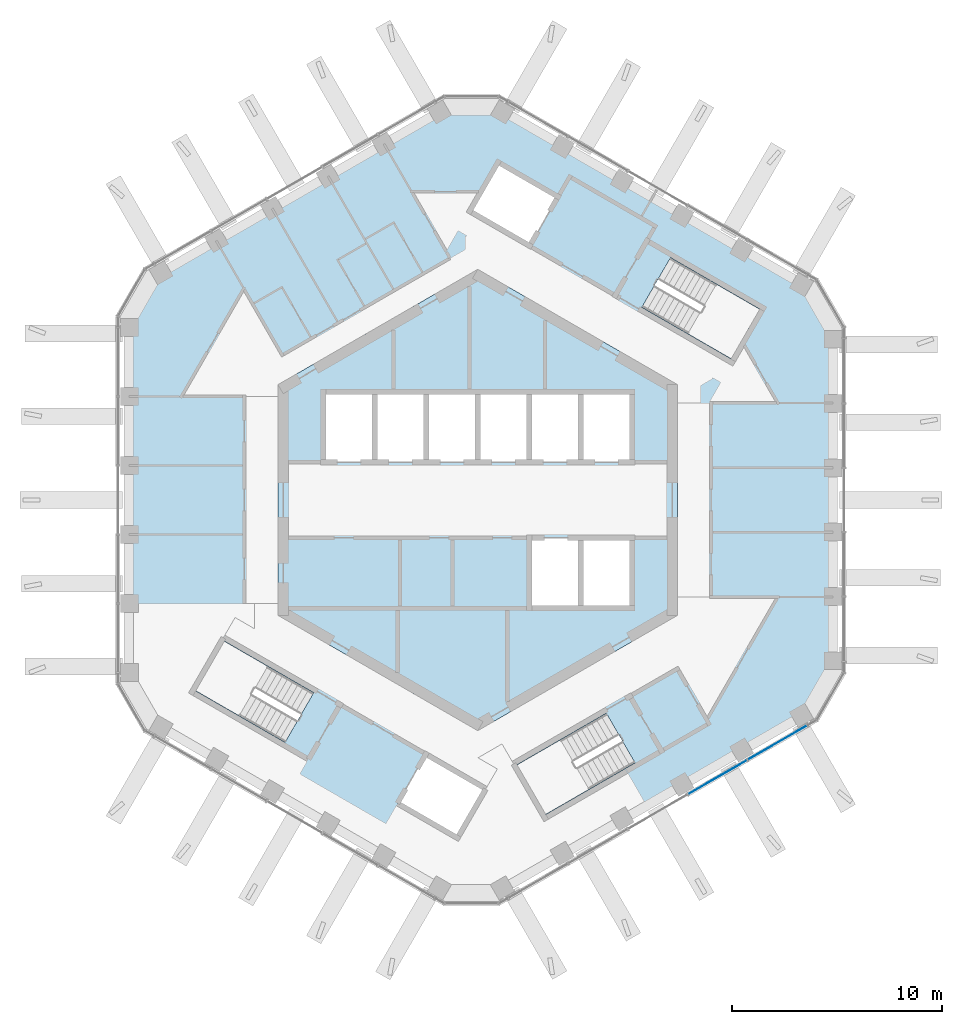
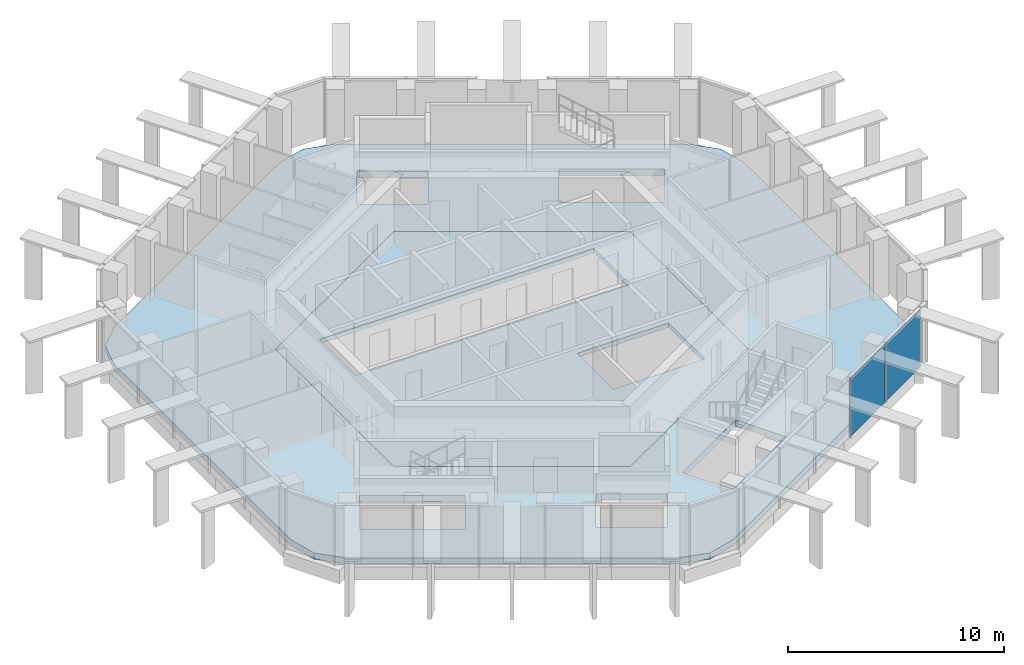
# One storey, part 8 of 19: 2 plates, 2 slabs, 1 element without a shape of its own.
"""IFC4 building model written with IfcOpenShell, lengths in metres."""

import ifcopenshell
import ifcopenshell.guid

model = None  # the IFC model being written
_history = None  # IfcOwnerHistory: only IFC2X3 demands one
_inside = {}  # id of a spatial element -> (the spatial element, [elements in it])
_under = {}  # id of a project, library or spatial element -> (it, [spatial elements below it])
_declared = {}  # id of a project -> (the project, [libraries it declares])
_typed = {}  # id of a type object -> (the type object, [elements of that type])
_made_of = {}  # id of a material, layer set ... -> (it, [elements and type objects made of it])


def new_model(schema):
    """Start an empty IFC model of exactly this schema.

    Asked for "IFC4X3", IfcOpenShell would pick the latest addendum, in which some entities
    have other attributes; the version numbers below select the first issue.
    IFC2X3 requires an IfcOwnerHistory on every rooted entity: one is made here for all.
    """
    global model, _history
    if schema == "IFC4X3":
        model = ifcopenshell.file(schema_version=(4, 3, 0, 0))
    else:
        model = ifcopenshell.file(schema=schema)
    _inside.clear()
    _under.clear()
    _declared.clear()
    _typed.clear()
    _made_of.clear()
    _history = None
    if model.schema == "IFC2X3":
        org = make("IfcOrganization", Name="unknown")
        user = make(
            "IfcPersonAndOrganization",
            ThePerson=make("IfcPerson", FamilyName="unknown"),
            TheOrganization=org,
        )
        app = make(
            "IfcApplication",
            ApplicationDeveloper=org,
            Version="unknown",
            ApplicationFullName="unknown",
            ApplicationIdentifier="unknown",
        )
        _history = make(
            "IfcOwnerHistory",
            OwningUser=user,
            OwningApplication=app,
            ChangeAction="ADDED",
            CreationDate=0,
        )
    return model


def make(cls, **values):
    """One entity of the class cls with the attributes given. An attribute that is None is left unset."""
    return model.create_entity(
        cls, **{name: value for name, value in values.items() if value is not None}
    )


def rooted(cls, **values):
    """An entity with a GlobalId (a new one), such as an element, a storey or a relation."""
    return make(cls, GlobalId=ifcopenshell.guid.new(), OwnerHistory=_history, **values)


def si_unit(unit_type, name, prefix=None):
    """IfcSIUnit, for example si_unit("LENGTHUNIT", "METRE", prefix="MILLI")."""
    return make("IfcSIUnit", UnitType=unit_type, Prefix=prefix, Name=name)


def assignment(units):
    """IfcUnitAssignment: the units of a project."""
    return None if units is None else make("IfcUnitAssignment", Units=units)


def point(xyz):
    """IfcCartesianPoint."""
    return None if xyz is None else make("IfcCartesianPoint", Coordinates=xyz)


def direction(xyz):
    """IfcDirection."""
    return None if xyz is None else make("IfcDirection", DirectionRatios=xyz)


def frame(location, z_axis=None, x_axis=None):
    """IfcAxis2Placement3D, a coordinate frame: its origin and axes. An axis left out is left unset."""
    return make(
        "IfcAxis2Placement3D",
        Location=point(location),
        Axis=direction(z_axis),
        RefDirection=direction(x_axis),
    )


def frame_2d(location, x_axis=None):
    """IfcAxis2Placement2D, a coordinate frame in the plane: its origin and x axis."""
    return make(
        "IfcAxis2Placement2D", Location=point(location), RefDirection=direction(x_axis)
    )


def origin():
    """The frame at (0, 0, 0) with its axes left unset."""
    return frame((0.0, 0.0, 0.0))


def origin_2d():
    """The frame at (0, 0) in the plane with its x axis left unset."""
    return frame_2d((0.0, 0.0))


def place(relative_to, where):
    """IfcLocalPlacement: puts the frame where relative to a parent placement (None: the world)."""
    return make(
        "IfcLocalPlacement", PlacementRelTo=relative_to, RelativePlacement=where
    )


def context(
    kind, dimensions, precision=None, world=None, true_north=None, identifier=None
):
    """IfcGeometricRepresentationContext, for example the 3D "Model" context."""
    return make(
        "IfcGeometricRepresentationContext",
        ContextIdentifier=identifier,
        ContextType=kind,
        CoordinateSpaceDimension=dimensions,
        Precision=precision,
        WorldCoordinateSystem=world,
        TrueNorth=true_north,
    )


def subcontext(parent, identifier, kind, view, scale=None):
    """IfcGeometricRepresentationSubContext, for example "Body" below "Model"."""
    return make(
        "IfcGeometricRepresentationSubContext",
        ContextIdentifier=identifier,
        ContextType=kind,
        ParentContext=parent,
        TargetScale=scale,
        TargetView=view,
    )


def project(units=None, contexts=None):
    """IfcProject with its units and contexts."""
    return rooted(
        "IfcProject",
        Name="project",
        RepresentationContexts=contexts,
        UnitsInContext=assignment(units),
    )


def spatial(cls, under=None, at=None, **own):
    """A site, building, storey or space (cls), placed at a placement, below another one or the project."""
    s = rooted(cls, ObjectPlacement=at, **own)
    if under is not None:
        _under.setdefault(under.id(), (under, []))[1].append(s)
    return s


def polyline(points):
    """IfcPolyline through the points."""
    return make("IfcPolyline", Points=[point(p) for p in points])


def profile(cls, at=None, kind="AREA", **sizes):
    """A parametric profile (cls). Its sizes go by their IFC names, for example OverallWidth=200.0."""
    return make(cls, ProfileType=kind, Position=at, **sizes)


def rectangle(**sizes):
    """IfcRectangleProfileDef."""
    return profile("IfcRectangleProfileDef", **sizes)


def outline(outer, holes=None, kind="AREA"):
    """IfcArbitraryClosedProfileDef: a profile drawn as a closed curve; with holes, ...WithVoids."""
    if holes is None:
        return make("IfcArbitraryClosedProfileDef", ProfileType=kind, OuterCurve=outer)
    return make(
        "IfcArbitraryProfileDefWithVoids",
        ProfileType=kind,
        OuterCurve=outer,
        InnerCurves=holes,
    )


def extrude(swept, where, along, depth):
    """IfcExtrudedAreaSolid: the profile swept, set in the frame where, extruded along a direction by depth."""
    return make(
        "IfcExtrudedAreaSolid",
        SweptArea=swept,
        Position=where,
        ExtrudedDirection=direction(along),
        Depth=depth,
    )


def shape(context_of_items, identifier, shape_type, items):
    """IfcShapeRepresentation: the items that make up one representation, for example the "Body"."""
    return make(
        "IfcShapeRepresentation",
        ContextOfItems=context_of_items,
        RepresentationIdentifier=identifier,
        RepresentationType=shape_type,
        Items=items,
    )


def material(Name=None, Category=None):
    """IfcMaterial."""
    return make("IfcMaterial", Name=Name, Category=Category)


def layer(
    of_material, thickness, ventilated=None, Name=None, Category=None, Priority=None
):
    """IfcMaterialLayer: one layer of a wall or slab, of a material (None: an air gap)."""
    return make(
        "IfcMaterialLayer",
        Material=of_material,
        LayerThickness=thickness,
        IsVentilated=ventilated,
        Name=Name,
        Category=Category,
        Priority=Priority,
    )


def layer_set(layers, Name=None):
    """IfcMaterialLayerSet."""
    return make("IfcMaterialLayerSet", MaterialLayers=layers, LayerSetName=Name)


def made_of(thing, what):
    """Note that an element or type object is made of a material, layer set ...; save() writes the relation."""
    if what is not None:
        _made_of.setdefault(what.id(), (what, []))[1].append(thing)
    return thing


def type_object(cls, material=None, **own):
    """A type object (cls), such as IfcWallType, which elements share."""
    return made_of(rooted(cls, **own), material)


def element(
    cls,
    number,
    at=None,
    inside=None,
    cuts=None,
    type_object=None,
    material=None,
    context=None,
    identifier="Body",
    shape_type=None,
    held_by="IfcProductDefinitionShape",
    body=None,
    shapes=None,
    **own,
):
    """One element of the class cls, such as IfcWall. Its Tag is "e" and its number.

    at: its placement. inside: the storey or other place that contains it. cuts: it is an
    opening in that element (IfcRelVoidsElement). A single representation is given by context,
    identifier, shape_type and body (its items); several are given by shapes. held_by: the class
    of the entity that holds the representations. save() writes the other relations.
    """
    e = rooted(cls, Tag="e%d" % number, ObjectPlacement=at, **own)
    if body is not None:
        shapes = [shape(context, identifier, shape_type, body)]
    if shapes is not None:
        e.Representation = make(held_by, Representations=shapes)
    if inside is not None:
        _inside.setdefault(inside.id(), (inside, []))[1].append(e)
    if cuts is not None:
        rooted(
            "IfcRelVoidsElement", RelatingBuildingElement=cuts, RelatedOpeningElement=e
        )
    if type_object is not None:
        _typed.setdefault(type_object.id(), (type_object, []))[1].append(e)
    return made_of(e, material)


def aggregate(whole, parts):
    """IfcRelAggregates: a whole, such as a stair, and the parts it consists of."""
    return rooted("IfcRelAggregates", RelatingObject=whole, RelatedObjects=parts)


def save(model, path):
    """Write the relations noted so far, then the file.

    IfcRelAggregates (storeys below a building ...), IfcRelContainedInSpatialStructure (elements
    in a storey), IfcRelDefinesByType, IfcRelAssociatesMaterial and IfcRelDeclares: one each for
    every whole, place, type object, material and project.
    """
    for whole, parts in _under.values():
        aggregate(whole, parts)
    for where, things in _inside.values():
        rooted(
            "IfcRelContainedInSpatialStructure",
            RelatedElements=things,
            RelatingStructure=where,
        )
    for kind, things in _typed.values():
        rooted("IfcRelDefinesByType", RelatedObjects=things, RelatingType=kind)
    for what, things in _made_of.values():
        rooted("IfcRelAssociatesMaterial", RelatedObjects=things, RelatingMaterial=what)
    for by, libraries in _declared.values():
        rooted("IfcRelDeclares", RelatingContext=by, RelatedDefinitions=libraries)
    model.write(path)


model = new_model("IFC4")

# Units and contexts
model_context = context("Model", 3, precision=1e-05, world=origin(), true_north=direction((0.0, 1.0)))
body_context = subcontext(model_context, "Body", "Model", "MODEL_VIEW")
ifc_project = project(units=[si_unit("LENGTHUNIT", "METRE"), si_unit("AREAUNIT", "SQUARE_METRE"), si_unit("VOLUMEUNIT", "CUBIC_METRE"), si_unit("PLANEANGLEUNIT", "RADIAN"), si_unit("MASSUNIT", "GRAM", prefix="KILO")], contexts=[model_context])

# Site, building, storey
site_placement = place(None, origin())
site = spatial("IfcSite", under=ifc_project, at=site_placement, CompositionType="ELEMENT")
building_placement = place(site_placement, origin())
building = spatial("IfcBuilding", under=site, at=building_placement, Name="Ayvan Gate Tower", CompositionType="ELEMENT")
storey_placement = place(building_placement, frame((0.0, 0.0, 235.89990234375)))
storey = spatial("IfcBuildingStorey", under=building, at=storey_placement, Name="L63", CompositionType="ELEMENT", Elevation=235.89990234375)

# Slabs
ifc_material_1 = material(Name="Concrete C40/50", Category="concrete")
ifc_layer_1 = layer(ifc_material_1, 0.35009765625)
ifc_layer_set_1 = layer_set([ifc_layer_1], Name="Concrete C40/50")
slab_type_1 = type_object("IfcSlabType", Name="Post-tensioned flat slab 350", PredefinedType="FLOOR", material=ifc_layer_set_1)
slab_1_placement = place(storey_placement, frame((0.0, 0.0, -0.349853515625)))
element("IfcSlab", 1, at=slab_1_placement, inside=storey, type_object=slab_type_1, Name="SL-L63", PredefinedType="FLOOR", context=body_context, shape_type="SweptSolid", body=[
    extrude(outline(polyline([(1.203369140625, -18.462646484375), (-0.296630859375, -18.864501953125), (-1.796630859375, -18.462646484375), (-15.0908203125, -10.787353515625), (-16.188720703125, -9.689208984375), (-16.5908203125, -8.189208984375), (-16.5908203125, 8.189208984375), (-16.188720703125, 9.689208984375), (-15.0908203125, 10.787353515625), (-1.796630859375, 18.462646484375), (-0.296630859375, 18.864501953125), (1.203369140625, 18.462646484375), (15.387451171875, 10.2734375), (16.485595703125, 9.17529296875), (16.887451171875, 7.67529296875), (16.887451171875, -7.67529296875), (16.485595703125, -9.17529296875), (15.387451171875, -10.2734375), (1.203369140625, -18.462646484375)]), holes=[polyline([(12.049560546875, 6.720458984375), (13.404541015625, 9.0673828125), (9.1611328125, 11.517578125), (7.80615234375, 9.170654296875), (12.049560546875, 6.720458984375)]), polyline([(9.5, 5.48486328125), (0.0, 10.9697265625), (-9.5, 5.48486328125), (-9.5, -5.48486328125), (0.0, -10.9697265625), (9.5, -5.48486328125), (9.5, 5.48486328125)]), polyline([(1.873779296875, -12.595458984375), (3.228759765625, -14.9423828125), (7.472412109375, -12.492431640625), (6.117431640625, -10.1455078125), (1.873779296875, -12.595458984375)]), polyline([(3.822509765625, 14.420654296875), (0.964599609375, 16.07080078125), (-0.385498046875, 13.732421875), (2.472412109375, 12.08251953125), (3.822509765625, 14.420654296875)]), polyline([(0.385498046875, -13.732421875), (-2.472412109375, -12.08251953125), (-3.822509765625, -14.420654296875), (-0.964599609375, -16.07080078125), (0.385498046875, -13.732421875)]), polyline([(-9.1611328125, -11.517578125), (-7.80615234375, -9.170654296875), (-12.049560546875, -6.720458984375), (-13.404541015625, -9.0673828125), (-9.1611328125, -11.517578125)])]), origin(), (0.0, 0.0, 1.0), 0.349853515625),
])
ifc_layer_2 = layer(ifc_material_1, 0.25)
ifc_layer_set_2 = layer_set([ifc_layer_2], Name="Concrete C40/50")
slab_type_2 = type_object("IfcSlabType", Name="SL-CORE-250", PredefinedType="FLOOR", material=ifc_layer_set_2)
slab_2_placement = place(storey_placement, frame((0.0, 0.0, -0.25)))
element("IfcSlab", 2, at=slab_2_placement, inside=storey, type_object=slab_type_2, Name="CS-L63", PredefinedType="FLOOR", context=body_context, shape_type="SweptSolid", body=[
    extrude(outline(polyline([(9.5, -5.48486328125), (0.0, -10.9697265625), (-9.5, -5.48486328125), (-9.5, 5.48486328125), (0.0, 10.9697265625), (9.5, 5.48486328125), (9.5, -5.48486328125)]), holes=[polyline([(-7.35009765625, 5.14990234375), (-7.35009765625, 1.800048828125), (7.35009765625, 1.800048828125), (7.35009765625, 5.14990234375), (-7.35009765625, 5.14990234375)]), polyline([(2.449951171875, -1.800048828125), (2.449951171875, -5.14990234375), (7.35009765625, -5.14990234375), (7.35009765625, -1.800048828125), (2.449951171875, -1.800048828125)])]), origin(), (0.0, 0.0, 1.0), 0.25),
])

# Curtain wall, plates
ifc_material_2 = material(Name="Bronze anodised aluminium", Category="aluminium")
ifc_layer_3 = layer(ifc_material_2, 0.199951171875)
ifc_layer_set_3 = layer_set([ifc_layer_3], Name="Bronze anodised aluminium")
curtain_wall_type = type_object("IfcCurtainWallType", Name="Stick curtain wall CW-2", PredefinedType="NOTDEFINED", material=ifc_layer_set_3)
curtain_wall_placement = place(storey_placement, origin())
curtain_wall = element("IfcCurtainWall", 3, at=curtain_wall_placement, inside=storey, type_object=curtain_wall_type, Name="Stick curtain wall CW-2 L63", PredefinedType="NOTDEFINED")
ifc_material_3 = material(Name="Clear low-iron laminated glass", Category="glass")
ifc_layer_4 = layer(ifc_material_3, 0.028076171875)
ifc_layer_set_4 = layer_set([ifc_layer_4], Name="Clear low-iron laminated glass")
plate_type = type_object("IfcPlateType", Name="Stick curtain wall CW-2 glass panel", PredefinedType="CURTAIN_PANEL", material=ifc_layer_set_4)
plate_1_placement = place(storey_placement, frame((11.400634765625, -13.181396484375, 0.0), z_axis=(0.0, 0.0, 1.0), x_axis=(0.866025403784, 0.5, 0.0)))
plate_1 = element("IfcPlate", 4, at=plate_1_placement, type_object=plate_type, Name="CW-2 glass panel 4", PredefinedType="CURTAIN_PANEL", context=body_context, shape_type="SweptSolid", body=[
    extrude(rectangle(XDim=3.2119140625, YDim=0.028076171875, at=origin_2d()), origin(), (0.0, 0.0, 1.0), 3.280029296875),
])
plate_2_placement = place(storey_placement, frame((14.265869140625, -11.527099609375, 0.0), z_axis=(0.0, 0.0, 1.0), x_axis=(0.866025403784, 0.5, 0.0)))
plate_2 = element("IfcPlate", 5, at=plate_2_placement, type_object=plate_type, Name="CW-2 glass panel 5", PredefinedType="CURTAIN_PANEL", context=body_context, shape_type="SweptSolid", body=[
    extrude(rectangle(XDim=3.264892578125, YDim=0.028076171875, at=origin_2d()), origin(), (0.0, 0.0, 1.0), 3.280029296875),
])
aggregate(curtain_wall, [plate_1, plate_2])

save(model, "model.ifc")
